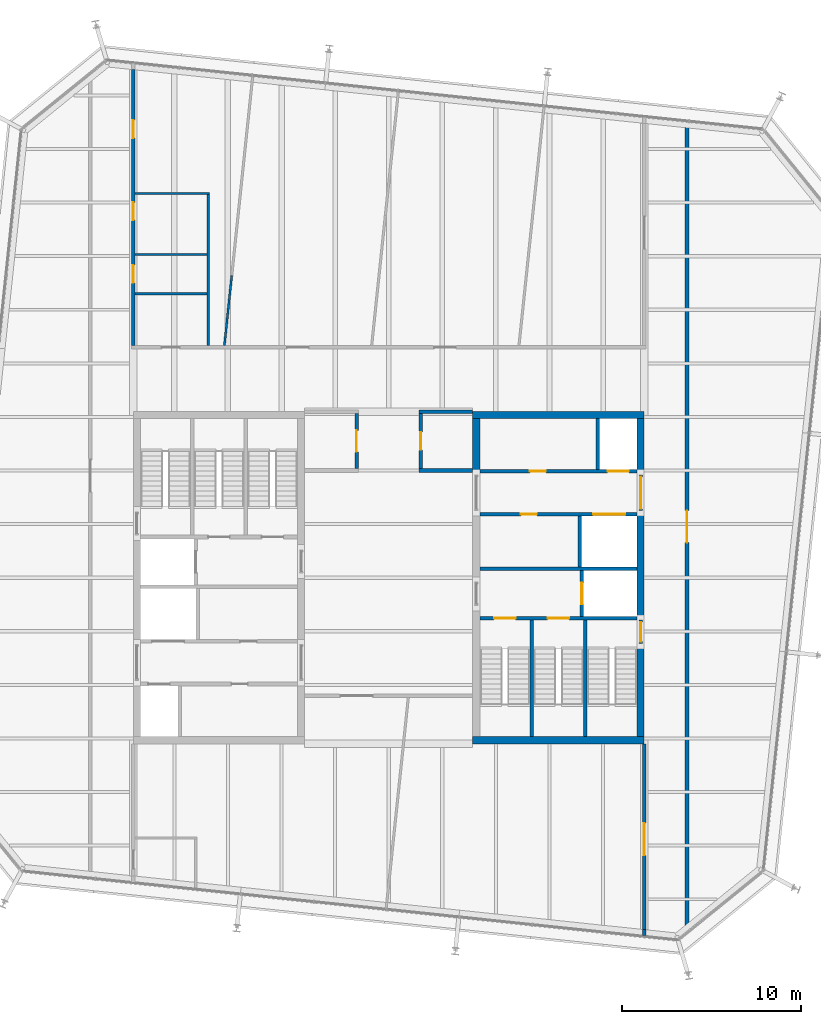
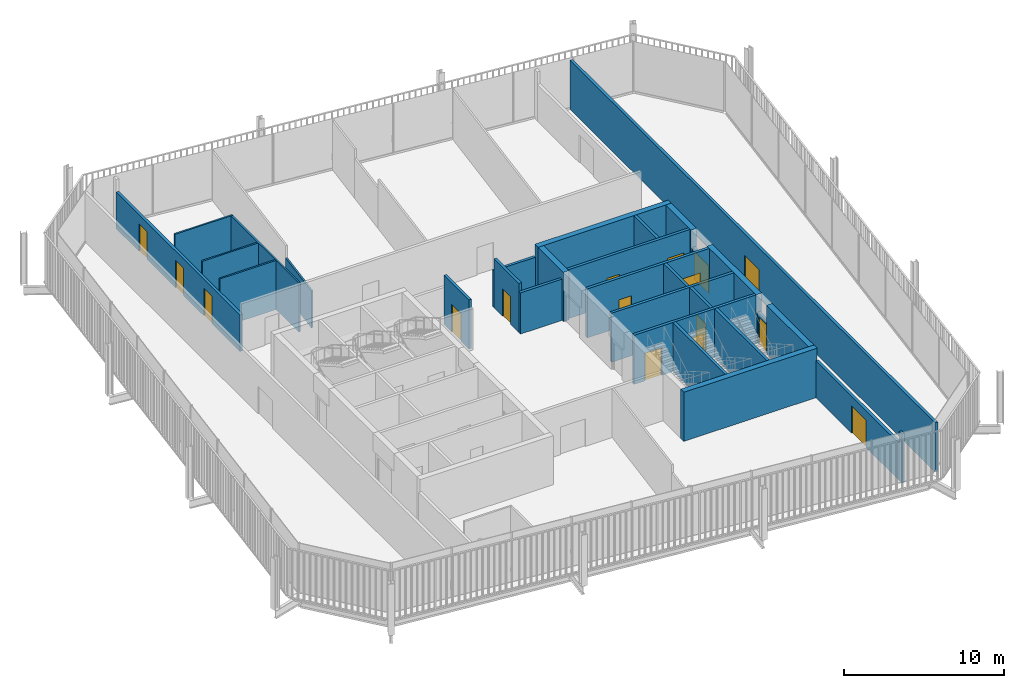
# One storey, part 17 of 20: 30 walls, 16 doors, 16 openings.
"""IFC4 building model written with IfcOpenShell, lengths in metres."""

from ifc_helpers import new_model, si_unit, direction, frame, frame_2d, origin, place, context, subcontext, project, spatial, rectangle, extrude, material, layer, layer_set, type_object, element, fill, save


model = new_model("IFC4")

# Units and contexts
model_context = context("Model", 3, precision=1e-05, world=origin(), true_north=direction((0.0, 1.0)))
body_context = subcontext(model_context, "Body", "Model", "MODEL_VIEW")
ifc_project = project(units=[si_unit("LENGTHUNIT", "METRE"), si_unit("AREAUNIT", "SQUARE_METRE"), si_unit("VOLUMEUNIT", "CUBIC_METRE"), si_unit("PLANEANGLEUNIT", "RADIAN"), si_unit("MASSUNIT", "GRAM", prefix="KILO")], contexts=[model_context])

# Site, building, storey
site_placement = place(None, origin())
site = spatial("IfcSite", under=ifc_project, at=site_placement, CompositionType="ELEMENT")
building_placement = place(site_placement, origin())
building = spatial("IfcBuilding", under=site, at=building_placement, Name="Millrace Tower", CompositionType="ELEMENT")
storey_placement = place(building_placement, frame((0.0, 0.0, 330.39990234375)))
storey = spatial("IfcBuildingStorey", under=building, at=storey_placement, Name="L76", CompositionType="ELEMENT", Elevation=330.39990234375)

# Walls
ifc_material_1 = material(Name="Concrete C60", Category="concrete")
ifc_layer_1 = layer(ifc_material_1, 0.39990234375)
ifc_layer_set_1 = layer_set([ifc_layer_1], Name="Concrete C60")
wall_type_1 = type_object("IfcWallType", Name="Core wall 400 Concrete C60", PredefinedType="SHEAR", material=ifc_layer_set_1)
for number, where, z_axis, x_axis, name in (
    (1, (14.300048828125, 9.10009765625, 0.0), (0.0, 0.0, 1.0), (-1.0, 0.0, 0.0), "Core wall E L76"),
    (2, (14.300048828125, -9.10009765625, 0.0), (0.0, 0.0, 1.0), (-1.0, 0.0, 0.0), "Core wall E L76"),
):
    element("IfcWall", number, at=place(storey_placement, frame(where, z_axis=z_axis, x_axis=x_axis)), inside=storey, type_object=wall_type_1, Name=name, PredefinedType="SHEAR", context=body_context, shape_type="SweptSolid", body=[
        extrude(rectangle(XDim=9.60009765625, YDim=0.39990234375, at=frame_2d((4.800048828125, 0.0))), origin(), (0.0, 0.0, 1.0), 3.739990234375),
    ])
wall_1_placement = place(storey_placement, frame((14.10009765625, 8.89990234375, 0.0), z_axis=(0.0, 0.0, 1.0), x_axis=(0.0, -1.0, 0.0)))
element("IfcWall", 3, at=wall_1_placement, inside=storey, type_object=wall_type_1, Name="Core wall E L76", PredefinedType="SHEAR", context=body_context, shape_type="SweptSolid", body=[
    extrude(rectangle(XDim=3.14990234375, YDim=0.39990234375, at=frame_2d((1.574951171875, 0.0))), origin(), (0.0, 0.0, 1.0), 3.739990234375),
])
wall_2_placement = place(storey_placement, frame((14.10009765625, 3.75, 0.0), z_axis=(0.0, 0.0, 1.0), x_axis=(0.0, -1.0, 0.0)))
element("IfcWall", 4, at=wall_2_placement, inside=storey, type_object=wall_type_1, Name="Core wall E L76", PredefinedType="SHEAR", context=body_context, shape_type="SweptSolid", body=[
    extrude(rectangle(XDim=6.1298828125, YDim=0.39990234375, at=frame_2d((3.06494140625, 0.0))), origin(), (0.0, 0.0, 1.0), 3.739990234375),
])
wall_3_placement = place(storey_placement, frame((14.10009765625, -3.679931640625, 0.0), z_axis=(0.0, 0.0, 1.0), x_axis=(0.0, -1.0, 0.0)))
element("IfcWall", 5, at=wall_3_placement, inside=storey, type_object=wall_type_1, Name="Core wall E L76", PredefinedType="SHEAR", context=body_context, shape_type="SweptSolid", body=[
    extrude(rectangle(XDim=5.219970703125, YDim=0.39990234375, at=frame_2d((2.60986328125, 0.0))), origin(), (0.0, 0.0, 1.0), 3.739990234375),
])
wall_4_placement = place(storey_placement, frame((4.89990234375, 8.89990234375, 0.0), z_axis=(0.0, 0.0, 1.0), x_axis=(0.0, -1.0, 0.0)))
element("IfcWall", 6, at=wall_4_placement, inside=storey, type_object=wall_type_1, Name="Core wall E L76", PredefinedType="SHEAR", context=body_context, shape_type="SweptSolid", body=[
    extrude(rectangle(XDim=3.14990234375, YDim=0.39990234375, at=frame_2d((1.574951171875, 0.0))), origin(), (0.0, 0.0, 1.0), 3.739990234375),
])
ifc_material_2 = material(Name="Masonry partition, fire-rated", Category="masonry")
ifc_layer_2 = layer(ifc_material_2, 0.199951171875)
ifc_layer_set_2 = layer_set([ifc_layer_2], Name="Masonry partition, fire-rated")
wall_type_2 = type_object("IfcWallType", Name="Corridor wall 200", PredefinedType="PARTITIONING", material=ifc_layer_set_2)
wall_5_placement = place(storey_placement, frame((1.699951171875, 6.0, 0.0), z_axis=(0.0, 0.0, 1.0), x_axis=(1.0, 0.0, 0.0)))
element("IfcWall", 7, at=wall_5_placement, inside=storey, type_object=wall_type_2, Name="Corridor wall L76", PredefinedType="PARTITIONING", context=body_context, shape_type="SweptSolid", body=[
    extrude(rectangle(XDim=3.0, YDim=0.199951171875, at=frame_2d((1.5, 0.0))), origin(), (0.0, 0.0, 1.0), 3.140625),
])
wall_6_placement = place(storey_placement, frame((1.699951171875, 9.300048828125, 0.0), z_axis=(0.0, 0.0, 1.0), x_axis=(1.0, 0.0, 0.0)))
element("IfcWall", 8, at=wall_6_placement, inside=storey, type_object=wall_type_2, Name="Corridor wall L76", PredefinedType="PARTITIONING", context=body_context, shape_type="SweptSolid", body=[
    extrude(rectangle(XDim=3.0, YDim=0.199951171875, at=frame_2d((1.5, 0.0))), origin(), (0.0, 0.0, 1.0), 2.81298828125),
])

# Wall, opening, door
wall_7_placement = place(storey_placement, frame((16.699951171875, -20.01416015625, 0.0), z_axis=(0.0, 0.0, 1.0), x_axis=(0.0, 1.0, 0.0)))
wall_7 = element("IfcWall", 9, at=wall_7_placement, inside=storey, type_object=wall_type_2, Name="Corridor wall L76", PredefinedType="PARTITIONING", context=body_context, shape_type="SweptSolid", body=[
    extrude(rectangle(XDim=45.535400390625, YDim=0.199951171875, at=frame_2d((22.767578125, 0.0))), origin(), (0.0, 0.0, 1.0), 3.739990234375),
])
opening_1_placement = place(wall_7_placement, frame((21.974609375, 0.0, 0.0)))
opening_1 = element("IfcOpeningElement", 10, at=opening_1_placement, cuts=wall_7, Name="Opening 76-P011", PredefinedType="OPENING", context=body_context, shape_type="SweptSolid", body=[
    extrude(rectangle(XDim=1.800048828125, YDim=2.10009765625, at=frame_2d((0.89990234375, 1.050048828125))), frame((0.0, 0.10986328125, 0.0), z_axis=(0.0, -1.0, 0.0), x_axis=(1.0, 0.0, 0.0)), (0.0, 0.0, 1.0), 0.219970703125),
])
ifc_material_3 = material(Name="Steel door set, fire-rated", Category="steel")
door_type_1 = type_object("IfcDoorType", Name="Corridor door 1800 x 2100", OperationType="DOUBLE_DOOR_SINGLE_SWING", PredefinedType="DOOR", material=ifc_material_3)
door_1_placement = place(opening_1_placement, origin())
door_1 = element("IfcDoor", 11, at=door_1_placement, inside=storey, type_object=door_type_1, Name="Door 76-P011", OperationType="DOUBLE_DOOR_SINGLE_SWING", OverallHeight=2.10009765625, OverallWidth=1.800048828125, PredefinedType="DOOR", context=body_context, shape_type="SweptSolid", body=[
    extrude(rectangle(XDim=1.800048828125, YDim=2.10009765625, at=frame_2d((0.89990234375, 1.050048828125))), frame((0.0, 0.02490234375, 0.0), z_axis=(0.0, -1.0, 0.0), x_axis=(1.0, 0.0, 0.0)), (0.0, 0.0, 1.0), 0.050048828125),
])
fill(opening_1, door_1)

# Wall
wall_8_placement = place(storey_placement, frame((14.300048828125, -20.037353515625, 0.0), z_axis=(0.0, 0.0, 1.0), x_axis=(0.0, 1.0, 0.0)))
element("IfcWall", 12, at=wall_8_placement, inside=storey, type_object=wall_type_2, Name="Corridor wall L76", PredefinedType="PARTITIONING", context=body_context, shape_type="SweptSolid", body=[
    extrude(rectangle(XDim=0.339111328125, YDim=0.199951171875, at=frame_2d((0.16943359375, 0.0))), origin(), (0.0, 0.0, 1.0), 3.739990234375),
])

# Wall, opening, door
wall_9_placement = place(storey_placement, frame((14.300048828125, -19.6982421875, 0.0), z_axis=(0.0, 0.0, 1.0), x_axis=(0.0, 1.0, 0.0)))
wall_9 = element("IfcWall", 13, at=wall_9_placement, inside=storey, type_object=wall_type_2, Name="Corridor wall L76", PredefinedType="PARTITIONING", context=body_context, shape_type="SweptSolid", body=[
    extrude(rectangle(XDim=10.398193359375, YDim=0.199951171875, at=frame_2d((5.19921875, 0.0))), origin(), (0.0, 0.0, 1.0), 2.81298828125),
])
opening_2_placement = place(wall_9_placement, frame((4.15478515625, 0.0, 0.0)))
opening_2 = element("IfcOpeningElement", 14, at=opening_2_placement, cuts=wall_9, Name="Opening 76-P014", PredefinedType="OPENING", context=body_context, shape_type="SweptSolid", body=[
    extrude(rectangle(XDim=1.800048828125, YDim=2.10009765625, at=frame_2d((0.89990234375, 1.050048828125))), frame((0.0, 0.10986328125, 0.0), z_axis=(0.0, -1.0, 0.0), x_axis=(1.0, 0.0, 0.0)), (0.0, 0.0, 1.0), 0.219970703125),
])
door_2_placement = place(opening_2_placement, origin())
door_2 = element("IfcDoor", 15, at=door_2_placement, inside=storey, type_object=door_type_1, Name="Door 76-P014", OperationType="DOUBLE_DOOR_SINGLE_SWING", OverallHeight=2.10009765625, OverallWidth=1.800048828125, PredefinedType="DOOR", context=body_context, shape_type="SweptSolid", body=[
    extrude(rectangle(XDim=1.800048828125, YDim=2.10009765625, at=frame_2d((0.89990234375, 1.050048828125))), frame((0.0, 0.02490234375, 0.0), z_axis=(0.0, -1.0, 0.0), x_axis=(1.0, 0.0, 0.0)), (0.0, 0.0, 1.0), 0.050048828125),
])
fill(opening_2, door_2)

wall_10_placement = place(storey_placement, frame((1.800048828125, 6.10009765625, 0.0), z_axis=(0.0, 0.0, 1.0), x_axis=(0.0, 1.0, 0.0)))
wall_10 = element("IfcWall", 16, at=wall_10_placement, inside=storey, type_object=wall_type_2, Name="Corridor wall L76", PredefinedType="PARTITIONING", context=body_context, shape_type="SweptSolid", body=[
    extrude(rectangle(XDim=3.099853515625, YDim=0.199951171875, at=frame_2d((1.5498046875, 0.0))), origin(), (0.0, 0.0, 1.0), 3.739990234375),
])
opening_3_placement = place(wall_10_placement, frame((1.050048828125, 0.0, 0.0)))
opening_3 = element("IfcOpeningElement", 17, at=opening_3_placement, cuts=wall_10, Name="Opening 76-P002", PredefinedType="OPENING", context=body_context, shape_type="SweptSolid", body=[
    extrude(rectangle(XDim=1.0, YDim=2.10009765625, at=frame_2d((0.5, 1.050048828125))), frame((0.0, 0.10986328125, 0.0), z_axis=(0.0, -1.0, 0.0), x_axis=(1.0, 0.0, 0.0)), (0.0, 0.0, 1.0), 0.219970703125),
])
ifc_material_4 = material(Name="Steel door set, fire-rated", Category="steel")
door_type_2 = type_object("IfcDoorType", Name="Corridor door 1000 x 2100", OperationType="SINGLE_SWING_LEFT", PredefinedType="DOOR", material=ifc_material_4)
door_3_placement = place(opening_3_placement, frame((1.0, 0.0, 0.0), z_axis=(0.0, 0.0, 1.0), x_axis=(-1.0, 0.0, 0.0)))
door_3 = element("IfcDoor", 18, at=door_3_placement, inside=storey, type_object=door_type_2, Name="Door 76-P002", OperationType="SINGLE_SWING_LEFT", OverallHeight=2.10009765625, OverallWidth=1.0, PredefinedType="DOOR", context=body_context, shape_type="SweptSolid", body=[
    extrude(rectangle(XDim=1.0, YDim=2.10009765625, at=frame_2d((0.5, 1.050048828125))), frame((0.0, 0.02490234375, 0.0), z_axis=(0.0, -1.0, 0.0), x_axis=(1.0, 0.0, 0.0)), (0.0, 0.0, 1.0), 0.050048828125),
])
fill(opening_3, door_3)

wall_11_placement = place(storey_placement, frame((-1.800048828125, 6.10009765625, 0.0), z_axis=(0.0, 0.0, 1.0), x_axis=(0.0, 1.0, 0.0)))
wall_11 = element("IfcWall", 19, at=wall_11_placement, inside=storey, type_object=wall_type_2, Name="Corridor wall L76", PredefinedType="PARTITIONING", context=body_context, shape_type="SweptSolid", body=[
    extrude(rectangle(XDim=3.099853515625, YDim=0.199951171875, at=frame_2d((1.5498046875, 0.0))), origin(), (0.0, 0.0, 1.0), 3.739990234375),
])
opening_4_placement = place(wall_11_placement, frame((0.949951171875, 0.0, 0.0)))
opening_4 = element("IfcOpeningElement", 20, at=opening_4_placement, cuts=wall_11, Name="Opening 76-P001", PredefinedType="OPENING", context=body_context, shape_type="SweptSolid", body=[
    extrude(rectangle(XDim=1.199951171875, YDim=2.10009765625, at=frame_2d((0.60009765625, 1.050048828125))), frame((0.0, 0.10986328125, 0.0), z_axis=(0.0, -1.0, 0.0), x_axis=(1.0, 0.0, 0.0)), (0.0, 0.0, 1.0), 0.219970703125),
])
ifc_material_5 = material(Name="Steel door set, fire-rated", Category="steel")
door_type_3 = type_object("IfcDoorType", Name="Corridor door 1200 x 2100", OperationType="SINGLE_SWING_LEFT", PredefinedType="DOOR", material=ifc_material_5)
door_4_placement = place(opening_4_placement, origin())
door_4 = element("IfcDoor", 21, at=door_4_placement, inside=storey, type_object=door_type_3, Name="Door 76-P001", OperationType="SINGLE_SWING_RIGHT", OverallHeight=2.10009765625, OverallWidth=1.199951171875, PredefinedType="DOOR", context=body_context, shape_type="SweptSolid", body=[
    extrude(rectangle(XDim=1.199951171875, YDim=2.10009765625, at=frame_2d((0.60009765625, 1.050048828125))), frame((0.0, 0.02490234375, 0.0), z_axis=(0.0, -1.0, 0.0), x_axis=(1.0, 0.0, 0.0)), (0.0, 0.0, 1.0), 0.050048828125),
])
fill(opening_4, door_4)

# Wall, openings, doors
wall_12_placement = place(storey_placement, frame((-14.300048828125, 13.0, 0.0), z_axis=(0.0, 0.0, 1.0), x_axis=(0.0, 1.0, 0.0)))
wall_12 = element("IfcWall", 22, at=wall_12_placement, inside=storey, type_object=wall_type_2, Name="Corridor wall L76", PredefinedType="PARTITIONING", context=body_context, shape_type="SweptSolid", body=[
    extrude(rectangle(XDim=15.440185546875, YDim=0.199951171875, at=frame_2d((7.72021484375, 0.0))), origin(), (0.0, 0.0, 1.0), 2.792724609375),
])
opening_5_placement = place(wall_12_placement, frame((11.614501953125, 0.0, 0.0)))
opening_5 = element("IfcOpeningElement", 23, at=opening_5_placement, cuts=wall_12, Name="Opening 76-P004", PredefinedType="OPENING", context=body_context, shape_type="SweptSolid", body=[
    extrude(rectangle(XDim=1.0, YDim=2.10009765625, at=frame_2d((0.5, 1.050048828125))), frame((0.0, 0.10986328125, 0.0), z_axis=(0.0, -1.0, 0.0), x_axis=(1.0, 0.0, 0.0)), (0.0, 0.0, 1.0), 0.219970703125),
])
opening_6_placement = place(wall_12_placement, frame((3.5, 0.0, 0.0)))
opening_6 = element("IfcOpeningElement", 24, at=opening_6_placement, cuts=wall_12, Name="Opening 76-P006", PredefinedType="OPENING", context=body_context, shape_type="SweptSolid", body=[
    extrude(rectangle(XDim=1.0, YDim=2.10009765625, at=frame_2d((0.5, 1.050048828125))), frame((0.0, 0.10986328125, 0.0), z_axis=(0.0, -1.0, 0.0), x_axis=(1.0, 0.0, 0.0)), (0.0, 0.0, 1.0), 0.219970703125),
])
opening_7_placement = place(wall_12_placement, frame((7.010986328125, 0.0, 0.0)))
opening_7 = element("IfcOpeningElement", 25, at=opening_7_placement, cuts=wall_12, Name="Opening 76-P007", PredefinedType="OPENING", context=body_context, shape_type="SweptSolid", body=[
    extrude(rectangle(XDim=1.0, YDim=2.10009765625, at=frame_2d((0.5, 1.050048828125))), frame((0.0, 0.10986328125, 0.0), z_axis=(0.0, -1.0, 0.0), x_axis=(1.0, 0.0, 0.0)), (0.0, 0.0, 1.0), 0.219970703125),
])
door_5_placement = place(opening_5_placement, frame((1.0, 0.0, 0.0), z_axis=(0.0, 0.0, 1.0), x_axis=(-1.0, 0.0, 0.0)))
door_5 = element("IfcDoor", 26, at=door_5_placement, inside=storey, type_object=door_type_2, Name="Door 76-P004", OperationType="SINGLE_SWING_LEFT", OverallHeight=2.10009765625, OverallWidth=1.0, PredefinedType="DOOR", context=body_context, shape_type="SweptSolid", body=[
    extrude(rectangle(XDim=1.0, YDim=2.10009765625, at=frame_2d((0.5, 1.050048828125))), frame((0.0, 0.02490234375, 0.0), z_axis=(0.0, -1.0, 0.0), x_axis=(1.0, 0.0, 0.0)), (0.0, 0.0, 1.0), 0.050048828125),
])
fill(opening_5, door_5)
door_6_placement = place(opening_6_placement, frame((1.0, 0.0, 0.0), z_axis=(0.0, 0.0, 1.0), x_axis=(-1.0, 0.0, 0.0)))
door_6 = element("IfcDoor", 27, at=door_6_placement, inside=storey, type_object=door_type_2, Name="Door 76-P006", OperationType="SINGLE_SWING_RIGHT", OverallHeight=2.10009765625, OverallWidth=1.0, PredefinedType="DOOR", context=body_context, shape_type="SweptSolid", body=[
    extrude(rectangle(XDim=1.0, YDim=2.10009765625, at=frame_2d((0.5, 1.050048828125))), frame((0.0, 0.02490234375, 0.0), z_axis=(0.0, -1.0, 0.0), x_axis=(1.0, 0.0, 0.0)), (0.0, 0.0, 1.0), 0.050048828125),
])
fill(opening_6, door_6)
door_7_placement = place(opening_7_placement, frame((1.0, 0.0, 0.0), z_axis=(0.0, 0.0, 1.0), x_axis=(-1.0, 0.0, 0.0)))
door_7 = element("IfcDoor", 28, at=door_7_placement, inside=storey, type_object=door_type_2, Name="Door 76-P007", OperationType="SINGLE_SWING_RIGHT", OverallHeight=2.10009765625, OverallWidth=1.0, PredefinedType="DOOR", context=body_context, shape_type="SweptSolid", body=[
    extrude(rectangle(XDim=1.0, YDim=2.10009765625, at=frame_2d((0.5, 1.050048828125))), frame((0.0, 0.02490234375, 0.0), z_axis=(0.0, -1.0, 0.0), x_axis=(1.0, 0.0, 0.0)), (0.0, 0.0, 1.0), 0.050048828125),
])
fill(opening_7, door_7)

ifc_material_6 = material(Name="Masonry partition, fire-rated", Category="masonry")
ifc_layer_3 = layer(ifc_material_6, 0.199951171875)
ifc_layer_set_3 = layer_set([ifc_layer_3], Name="Masonry partition, fire-rated")
wall_type_3 = type_object("IfcWallType", Name="Lift shaft wall 200", PredefinedType="PARTITIONING", material=ifc_layer_set_3)
wall_13_placement = place(storey_placement, frame((13.89990234375, 5.949951171875, 0.0), z_axis=(0.0, 0.0, 1.0), x_axis=(-1.0, 0.0, 0.0)))
wall_13 = element("IfcWall", 29, at=wall_13_placement, inside=storey, type_object=wall_type_3, Name="Lift shaft wall E L76", PredefinedType="PARTITIONING", context=body_context, shape_type="SweptSolid", body=[
    extrude(rectangle(XDim=8.7998046875, YDim=0.199951171875, at=frame_2d((4.39990234375, 0.0))), origin(), (0.0, 0.0, 1.0), 3.739990234375),
])
opening_8_placement = place(wall_13_placement, frame((0.449951171875, 0.0, 0.0)))
opening_8 = element("IfcOpeningElement", 30, at=opening_8_placement, cuts=wall_13, Name="Opening 76-LD09", PredefinedType="OPENING", context=body_context, shape_type="SweptSolid", body=[
    extrude(rectangle(XDim=1.199951171875, YDim=2.10009765625, at=frame_2d((0.60009765625, 1.050048828125))), frame((0.0, 0.10986328125, 0.0), z_axis=(0.0, -1.0, 0.0), x_axis=(1.0, 0.0, 0.0)), (0.0, 0.0, 1.0), 0.219970703125),
])
opening_9_placement = place(wall_13_placement, frame((5.10009765625, 0.0, 0.0)))
opening_9 = element("IfcOpeningElement", 31, at=opening_9_placement, cuts=wall_13, Name="Opening 76-C013", PredefinedType="OPENING", context=body_context, shape_type="SweptSolid", body=[
    extrude(rectangle(XDim=0.89990234375, YDim=2.10009765625, at=frame_2d((0.449951171875, 1.050048828125))), frame((0.0, 0.10986328125, 0.0), z_axis=(0.0, -1.0, 0.0), x_axis=(1.0, 0.0, 0.0)), (0.0, 0.0, 1.0), 0.219970703125),
])
ifc_material_7 = material(Name="Stainless steel, fire-rated", Category="steel")
door_type_4 = type_object("IfcDoorType", Name="Lift landing door 1200 x 2100", OperationType="DOUBLE_DOOR_SLIDING", PredefinedType="DOOR", material=ifc_material_7)
door_8_placement = place(opening_8_placement, origin())
door_8 = element("IfcDoor", 32, at=door_8_placement, inside=storey, type_object=door_type_4, Name="Lift landing door LF9 L76", OperationType="DOUBLE_DOOR_SLIDING", OverallHeight=2.10009765625, OverallWidth=1.199951171875, PredefinedType="DOOR", context=body_context, shape_type="SweptSolid", body=[
    extrude(rectangle(XDim=1.199951171875, YDim=2.10009765625, at=frame_2d((0.60009765625, 1.050048828125))), frame((0.0, 0.02490234375, 0.0), z_axis=(0.0, -1.0, 0.0), x_axis=(1.0, 0.0, 0.0)), (0.0, 0.0, 1.0), 0.050048828125),
])
fill(opening_8, door_8)
ifc_material_8 = material(Name="Steel door, fire-rated", Category="steel")
door_type_5 = type_object("IfcDoorType", Name="Service room door 900 x 2100", OperationType="SINGLE_SWING_LEFT", PredefinedType="DOOR", material=ifc_material_8)
door_9_placement = place(opening_9_placement, frame((0.89990234375, 0.0, 0.0), z_axis=(0.0, 0.0, 1.0), x_axis=(-1.0, 0.0, 0.0)))
door_9 = element("IfcDoor", 33, at=door_9_placement, inside=storey, type_object=door_type_5, Name="Service room door 76-C013", OperationType="SINGLE_SWING_LEFT", OverallHeight=2.10009765625, OverallWidth=0.89990234375, PredefinedType="DOOR", context=body_context, shape_type="SweptSolid", body=[
    extrude(rectangle(XDim=0.89990234375, YDim=2.10009765625, at=frame_2d((0.449951171875, 1.050048828125))), frame((0.0, 0.02490234375, 0.0), z_axis=(0.0, -1.0, 0.0), x_axis=(1.0, 0.0, 0.0)), (0.0, 0.0, 1.0), 0.050048828125),
])
fill(opening_9, door_9)

wall_14_placement = place(storey_placement, frame((13.89990234375, 3.550048828125, 0.0), z_axis=(0.0, 0.0, 1.0), x_axis=(-1.0, 0.0, 0.0)))
wall_14 = element("IfcWall", 34, at=wall_14_placement, inside=storey, type_object=wall_type_3, Name="Lift shaft wall E L76", PredefinedType="PARTITIONING", context=body_context, shape_type="SweptSolid", body=[
    extrude(rectangle(XDim=8.7998046875, YDim=0.199951171875, at=frame_2d((4.39990234375, 0.0))), origin(), (0.0, 0.0, 1.0), 3.739990234375),
])
opening_10_placement = place(wall_14_placement, frame((0.64990234375, 0.0, 0.0)))
opening_10 = element("IfcOpeningElement", 35, at=opening_10_placement, cuts=wall_14, Name="Opening 76-LD13", PredefinedType="OPENING", context=body_context, shape_type="SweptSolid", body=[
    extrude(rectangle(XDim=1.800048828125, YDim=2.10009765625, at=frame_2d((0.89990234375, 1.050048828125))), frame((0.0, 0.10986328125, 0.0), z_axis=(0.0, -1.0, 0.0), x_axis=(1.0, 0.0, 0.0)), (0.0, 0.0, 1.0), 0.219970703125),
])
opening_11_placement = place(wall_14_placement, frame((5.60009765625, 0.0, 0.0)))
opening_11 = element("IfcOpeningElement", 36, at=opening_11_placement, cuts=wall_14, Name="Opening 76-C014", PredefinedType="OPENING", context=body_context, shape_type="SweptSolid", body=[
    extrude(rectangle(XDim=0.89990234375, YDim=2.10009765625, at=frame_2d((0.449951171875, 1.050048828125))), frame((0.0, 0.10986328125, 0.0), z_axis=(0.0, -1.0, 0.0), x_axis=(1.0, 0.0, 0.0)), (0.0, 0.0, 1.0), 0.219970703125),
])
ifc_material_9 = material(Name="Stainless steel, fire-rated", Category="steel")
door_type_6 = type_object("IfcDoorType", Name="Lift landing door 1800 x 2100", OperationType="DOUBLE_DOOR_SLIDING", PredefinedType="DOOR", material=ifc_material_9)
door_10_placement = place(opening_10_placement, origin())
door_10 = element("IfcDoor", 37, at=door_10_placement, inside=storey, type_object=door_type_6, Name="Lift landing door LF13 L76", OperationType="DOUBLE_DOOR_SLIDING", OverallHeight=2.10009765625, OverallWidth=1.800048828125, PredefinedType="DOOR", context=body_context, shape_type="SweptSolid", body=[
    extrude(rectangle(XDim=1.800048828125, YDim=2.10009765625, at=frame_2d((0.89990234375, 1.050048828125))), frame((0.0, 0.02490234375, 0.0), z_axis=(0.0, -1.0, 0.0), x_axis=(1.0, 0.0, 0.0)), (0.0, 0.0, 1.0), 0.050048828125),
])
fill(opening_10, door_10)
door_11_placement = place(opening_11_placement, origin())
door_11 = element("IfcDoor", 38, at=door_11_placement, inside=storey, type_object=door_type_5, Name="Service room door 76-C014", OperationType="SINGLE_SWING_RIGHT", OverallHeight=2.10009765625, OverallWidth=0.89990234375, PredefinedType="DOOR", context=body_context, shape_type="SweptSolid", body=[
    extrude(rectangle(XDim=0.89990234375, YDim=2.10009765625, at=frame_2d((0.449951171875, 1.050048828125))), frame((0.0, 0.02490234375, 0.0), z_axis=(0.0, -1.0, 0.0), x_axis=(1.0, 0.0, 0.0)), (0.0, 0.0, 1.0), 0.050048828125),
])
fill(opening_11, door_11)

# Wall
wall_15_placement = place(storey_placement, frame((13.89990234375, 0.5, 0.0), z_axis=(0.0, 0.0, 1.0), x_axis=(-1.0, 0.0, 0.0)))
element("IfcWall", 39, at=wall_15_placement, inside=storey, type_object=wall_type_3, Name="Lift shaft wall E L76", PredefinedType="PARTITIONING", context=body_context, shape_type="SweptSolid", body=[
    extrude(rectangle(XDim=8.7998046875, YDim=0.199951171875, at=frame_2d((4.39990234375, 0.0))), origin(), (0.0, 0.0, 1.0), 3.739990234375),
])

# Wall, opening, door
wall_16_placement = place(storey_placement, frame((10.800048828125, 0.39990234375, 0.0), z_axis=(0.0, 0.0, 1.0), x_axis=(0.0, -1.0, 0.0)))
wall_16 = element("IfcWall", 40, at=wall_16_placement, inside=storey, type_object=wall_type_3, Name="Lift shaft wall E L76", PredefinedType="PARTITIONING", context=body_context, shape_type="SweptSolid", body=[
    extrude(rectangle(XDim=2.579833984375, YDim=0.199951171875, at=frame_2d((1.2900390625, 0.0))), origin(), (0.0, 0.0, 1.0), 3.739990234375),
])
opening_12_placement = place(wall_16_placement, frame((0.68994140625, 0.0, 0.0)))
opening_12 = element("IfcOpeningElement", 41, at=opening_12_placement, cuts=wall_16, Name="Opening 76-LD16", PredefinedType="OPENING", context=body_context, shape_type="SweptSolid", body=[
    extrude(rectangle(XDim=1.199951171875, YDim=2.10009765625, at=frame_2d((0.60009765625, 1.050048828125))), frame((0.0, 0.10986328125, 0.0), z_axis=(0.0, -1.0, 0.0), x_axis=(1.0, 0.0, 0.0)), (0.0, 0.0, 1.0), 0.219970703125),
])
door_12_placement = place(opening_12_placement, origin())
door_12 = element("IfcDoor", 42, at=door_12_placement, inside=storey, type_object=door_type_4, Name="Lift landing door LF16 L76", OperationType="DOUBLE_DOOR_SLIDING", OverallHeight=2.10009765625, OverallWidth=1.199951171875, PredefinedType="DOOR", context=body_context, shape_type="SweptSolid", body=[
    extrude(rectangle(XDim=1.199951171875, YDim=2.10009765625, at=frame_2d((0.60009765625, 1.050048828125))), frame((0.0, 0.02490234375, 0.0), z_axis=(0.0, -1.0, 0.0), x_axis=(1.0, 0.0, 0.0)), (0.0, 0.0, 1.0), 0.050048828125),
])
fill(opening_12, door_12)

# Walls
for number, where, z_axis, x_axis, name in (
    (43, (11.699951171875, 8.89990234375, 0.0), (0.0, 0.0, 1.0), (0.0, -1.0, 0.0), "Lift shaft wall E L76"),
    (44, (10.699951171875, 3.449951171875, 0.0), (0.0, 0.0, 1.0), (0.0, -1.0, 0.0), "Lift shaft wall E L76"),
):
    element("IfcWall", number, at=place(storey_placement, frame(where, z_axis=z_axis, x_axis=x_axis)), inside=storey, type_object=wall_type_3, Name=name, PredefinedType="PARTITIONING", context=body_context, shape_type="SweptSolid", body=[
        extrude(rectangle(XDim=2.849853515625, YDim=0.199951171875, at=frame_2d((1.4248046875, 0.0))), origin(), (0.0, 0.0, 1.0), 3.739990234375),
    ])

# Wall, opening, door
ifc_material_10 = material(Name="Masonry partition, fire-rated", Category="masonry")
ifc_layer_4 = layer(ifc_material_10, 0.199951171875)
ifc_layer_set_4 = layer_set([ifc_layer_4], Name="Masonry partition, fire-rated")
wall_type_4 = type_object("IfcWallType", Name="Lobby wall 200", PredefinedType="PARTITIONING", material=ifc_layer_set_4)
wall_17_placement = place(storey_placement, frame((14.10009765625, 5.75, 0.0), z_axis=(0.0, 0.0, 1.0), x_axis=(0.0, -1.0, 0.0)))
wall_17 = element("IfcWall", 45, at=wall_17_placement, inside=storey, type_object=wall_type_4, Name="Lobby wall E L76", PredefinedType="PARTITIONING", context=body_context, shape_type="SweptSolid", body=[
    extrude(rectangle(XDim=2.0, YDim=0.199951171875, at=frame_2d((1.0, 0.0))), origin(), (0.0, 0.0, 1.0), 2.400146484375),
])
opening_13_placement = place(wall_17_placement, frame((0.10009765625, 0.0, 0.0)))
opening_13 = element("IfcOpeningElement", 46, at=opening_13_placement, cuts=wall_17, Name="Opening 76-C009", PredefinedType="OPENING", context=body_context, shape_type="SweptSolid", body=[
    extrude(rectangle(XDim=1.800048828125, YDim=2.10009765625, at=frame_2d((0.89990234375, 1.050048828125))), frame((0.0, 0.10986328125, 0.0), z_axis=(0.0, -1.0, 0.0), x_axis=(1.0, 0.0, 0.0)), (0.0, 0.0, 1.0), 0.219970703125),
])
ifc_material_11 = material(Name="Steel door, fire-rated", Category="steel")
door_type_7 = type_object("IfcDoorType", Name="Lobby door 1800 x 2100", OperationType="DOUBLE_DOOR_SINGLE_SWING", PredefinedType="DOOR", material=ifc_material_11)
door_13_placement = place(opening_13_placement, origin())
door_13 = element("IfcDoor", 47, at=door_13_placement, inside=storey, type_object=door_type_7, Name="Lobby door 76-C009", OperationType="DOUBLE_DOOR_SINGLE_SWING", OverallHeight=2.10009765625, OverallWidth=1.800048828125, PredefinedType="DOOR", context=body_context, shape_type="SweptSolid", body=[
    extrude(rectangle(XDim=1.800048828125, YDim=2.10009765625, at=frame_2d((0.89990234375, 1.050048828125))), frame((0.0, 0.02490234375, 0.0), z_axis=(0.0, -1.0, 0.0), x_axis=(1.0, 0.0, 0.0)), (0.0, 0.0, 1.0), 0.050048828125),
])
fill(opening_13, door_13)

# Walls
ifc_material_12 = material(Name="Gypsum board partition")
ifc_layer_5 = layer(ifc_material_12, 0.1201171875)
ifc_layer_set_5 = layer_set([ifc_layer_5], Name="Gypsum board partition")
wall_type_5 = type_object("IfcWallType", Name="Partition wall 120", PredefinedType="PARTITIONING", material=ifc_layer_set_5)
for number, where, z_axis, x_axis, name in (
    (48, (-14.199951171875, 15.89990234375, 0.0), (0.0, 0.0, 1.0), (1.0, 0.0, 0.0), "Partition wall L76"),
    (49, (-14.199951171875, 18.10009765625, 0.0), (0.0, 0.0, 1.0), (1.0, 0.0, 0.0), "Partition wall L76"),
):
    element("IfcWall", number, at=place(storey_placement, frame(where, z_axis=z_axis, x_axis=x_axis)), inside=storey, type_object=wall_type_5, Name=name, PredefinedType="PARTITIONING", context=body_context, shape_type="SweptSolid", body=[
        extrude(rectangle(XDim=4.0400390625, YDim=0.1201171875, at=frame_2d((2.02001953125, 0.0))), origin(), (0.0, 0.0, 1.0), 3.739990234375),
    ])
wall_18_placement = place(storey_placement, frame((-14.199951171875, 21.5, 0.0), z_axis=(0.0, 0.0, 1.0), x_axis=(1.0, 0.0, 0.0)))
element("IfcWall", 50, at=wall_18_placement, inside=storey, type_object=wall_type_5, Name="Partition wall L76", PredefinedType="PARTITIONING", context=body_context, shape_type="SweptSolid", body=[
    extrude(rectangle(XDim=4.159912109375, YDim=0.1201171875, at=frame_2d((2.080078125, 0.0))), origin(), (0.0, 0.0, 1.0), 3.739990234375),
])
wall_19_placement = place(storey_placement, frame((-9.197509765625, 12.99951171875, 0.0), z_axis=(0.0, 0.0, 1.0), x_axis=(0.104532824039, 0.994521437023, 0.0)))
element("IfcWall", 51, at=wall_19_placement, inside=storey, type_object=wall_type_5, Name="Partition wall L76", PredefinedType="PARTITIONING", context=body_context, shape_type="SweptSolid", body=[
    extrude(rectangle(XDim=3.9306640625, YDim=0.1201171875, at=frame_2d((1.96533203125, 0.0))), origin(), (0.0, 0.0, 1.0), 2.81298828125),
])
wall_20_placement = place(storey_placement, frame((-10.10009765625, 13.0, 0.0), z_axis=(0.0, 0.0, 1.0), x_axis=(0.0, 1.0, 0.0)))
element("IfcWall", 52, at=wall_20_placement, inside=storey, type_object=wall_type_5, Name="Partition wall L76", PredefinedType="PARTITIONING", context=body_context, shape_type="SweptSolid", body=[
    extrude(rectangle(XDim=8.43994140625, YDim=0.1201171875, at=frame_2d((4.219970703125, 0.0))), origin(), (0.0, 0.0, 1.0), 3.739990234375),
])

# Wall, opening, door
ifc_material_13 = material(Name="Concrete C40", Category="concrete")
ifc_layer_6 = layer(ifc_material_13, 0.199951171875)
ifc_layer_set_6 = layer_set([ifc_layer_6], Name="Concrete C40")
wall_type_6 = type_object("IfcWallType", Name="Stair enclosure wall 200 Concrete C40", PredefinedType="SHEAR", material=ifc_layer_set_6)
wall_21_placement = place(storey_placement, frame((14.10009765625, -2.3798828125, 0.0), z_axis=(0.0, 0.0, 1.0), x_axis=(0.0, -1.0, 0.0)))
wall_21 = element("IfcWall", 53, at=wall_21_placement, inside=storey, type_object=wall_type_6, Name="Stair enclosure wall E L76", PredefinedType="SHEAR", context=body_context, shape_type="SweptSolid", body=[
    extrude(rectangle(XDim=1.300048828125, YDim=0.199951171875, at=frame_2d((0.64990234375, 0.0))), origin(), (0.0, 0.0, 1.0), 2.400146484375),
])
opening_14_placement = place(wall_21_placement, frame((0.10009765625, 0.0, 0.0)))
opening_14 = element("IfcOpeningElement", 54, at=opening_14_placement, cuts=wall_21, Name="Opening 76-C010", PredefinedType="OPENING", context=body_context, shape_type="SweptSolid", body=[
    extrude(rectangle(XDim=1.10009765625, YDim=2.10009765625, at=frame_2d((0.550048828125, 1.050048828125))), frame((0.0, 0.10986328125, 0.0), z_axis=(0.0, -1.0, 0.0), x_axis=(1.0, 0.0, 0.0)), (0.0, 0.0, 1.0), 0.219970703125),
])
ifc_material_14 = material(Name="Steel door, fire-rated", Category="steel")
door_type_8 = type_object("IfcDoorType", Name="Stair door 1100 x 2100", OperationType="SINGLE_SWING_LEFT", PredefinedType="DOOR", material=ifc_material_14)
door_14_placement = place(opening_14_placement, origin())
door_14 = element("IfcDoor", 55, at=door_14_placement, inside=storey, type_object=door_type_8, Name="Stair door 76-C010", OperationType="SINGLE_SWING_RIGHT", OverallHeight=2.10009765625, OverallWidth=1.10009765625, PredefinedType="DOOR", context=body_context, shape_type="SweptSolid", body=[
    extrude(rectangle(XDim=1.10009765625, YDim=2.10009765625, at=frame_2d((0.550048828125, 1.050048828125))), frame((0.0, 0.02490234375, 0.0), z_axis=(0.0, -1.0, 0.0), x_axis=(1.0, 0.0, 0.0)), (0.0, 0.0, 1.0), 0.050048828125),
])
fill(opening_14, door_14)

# Wall, openings, doors
wall_22_placement = place(storey_placement, frame((13.89990234375, -2.280029296875, 0.0), z_axis=(0.0, 0.0, 1.0), x_axis=(-1.0, 0.0, 0.0)))
wall_22 = element("IfcWall", 56, at=wall_22_placement, inside=storey, type_object=wall_type_6, Name="Stair enclosure wall E L76", PredefinedType="SHEAR", context=body_context, shape_type="SweptSolid", body=[
    extrude(rectangle(XDim=8.7998046875, YDim=0.199951171875, at=frame_2d((4.39990234375, 0.0))), origin(), (0.0, 0.0, 1.0), 3.739990234375),
])
opening_15_placement = place(wall_22_placement, frame((3.800048828125, 0.0, 0.0)))
opening_15 = element("IfcOpeningElement", 57, at=opening_15_placement, cuts=wall_22, Name="Opening 76-C015", PredefinedType="OPENING", context=body_context, shape_type="SweptSolid", body=[
    extrude(rectangle(XDim=1.199951171875, YDim=2.10009765625, at=frame_2d((0.60009765625, 1.050048828125))), frame((0.0, 0.10986328125, 0.0), z_axis=(0.0, -1.0, 0.0), x_axis=(1.0, 0.0, 0.0)), (0.0, 0.0, 1.0), 0.219970703125),
])
opening_16_placement = place(wall_22_placement, frame((6.800048828125, 0.0, 0.0)))
opening_16 = element("IfcOpeningElement", 58, at=opening_16_placement, cuts=wall_22, Name="Opening 76-C016", PredefinedType="OPENING", context=body_context, shape_type="SweptSolid", body=[
    extrude(rectangle(XDim=1.199951171875, YDim=2.10009765625, at=frame_2d((0.60009765625, 1.050048828125))), frame((0.0, 0.10986328125, 0.0), z_axis=(0.0, -1.0, 0.0), x_axis=(1.0, 0.0, 0.0)), (0.0, 0.0, 1.0), 0.219970703125),
])
ifc_material_15 = material(Name="Steel door, fire-rated", Category="steel")
door_type_9 = type_object("IfcDoorType", Name="Stair door 1200 x 2100", OperationType="SINGLE_SWING_LEFT", PredefinedType="DOOR", material=ifc_material_15)
door_15_placement = place(opening_15_placement, frame((1.199951171875, 0.0, 0.0), z_axis=(0.0, 0.0, 1.0), x_axis=(-1.0, 0.0, 0.0)))
door_15 = element("IfcDoor", 59, at=door_15_placement, inside=storey, type_object=door_type_9, Name="Stair door 76-C015", OperationType="SINGLE_SWING_LEFT", OverallHeight=2.10009765625, OverallWidth=1.199951171875, PredefinedType="DOOR", context=body_context, shape_type="SweptSolid", body=[
    extrude(rectangle(XDim=1.199951171875, YDim=2.10009765625, at=frame_2d((0.60009765625, 1.050048828125))), frame((0.0, 0.02490234375, 0.0), z_axis=(0.0, -1.0, 0.0), x_axis=(1.0, 0.0, 0.0)), (0.0, 0.0, 1.0), 0.050048828125),
])
fill(opening_15, door_15)
door_16_placement = place(opening_16_placement, frame((1.199951171875, 0.0, 0.0), z_axis=(0.0, 0.0, 1.0), x_axis=(-1.0, 0.0, 0.0)))
door_16 = element("IfcDoor", 60, at=door_16_placement, inside=storey, type_object=door_type_9, Name="Stair door 76-C016", OperationType="SINGLE_SWING_LEFT", OverallHeight=2.10009765625, OverallWidth=1.199951171875, PredefinedType="DOOR", context=body_context, shape_type="SweptSolid", body=[
    extrude(rectangle(XDim=1.199951171875, YDim=2.10009765625, at=frame_2d((0.60009765625, 1.050048828125))), frame((0.0, 0.02490234375, 0.0), z_axis=(0.0, -1.0, 0.0), x_axis=(1.0, 0.0, 0.0)), (0.0, 0.0, 1.0), 0.050048828125),
])
fill(opening_16, door_16)

# Walls
for number, where, z_axis, x_axis, name in (
    (61, (11.0, -2.3798828125, 0.0), (0.0, 0.0, 1.0), (0.0, -1.0, 0.0), "Stair enclosure wall E L76"),
    (62, (8.0, -2.3798828125, 0.0), (0.0, 0.0, 1.0), (0.0, -1.0, 0.0), "Stair enclosure wall E L76"),
):
    element("IfcWall", number, at=place(storey_placement, frame(where, z_axis=z_axis, x_axis=x_axis)), inside=storey, type_object=wall_type_6, Name=name, PredefinedType="SHEAR", context=body_context, shape_type="SweptSolid", body=[
        extrude(rectangle(XDim=6.52001953125, YDim=0.199951171875, at=frame_2d((3.260009765625, 0.0))), origin(), (0.0, 0.0, 1.0), 3.739990234375),
    ])

save(model, "model.ifc")
